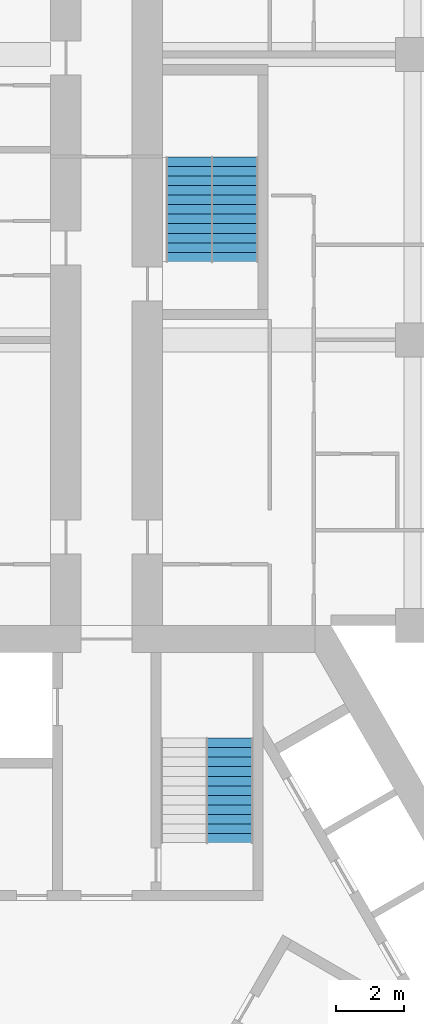
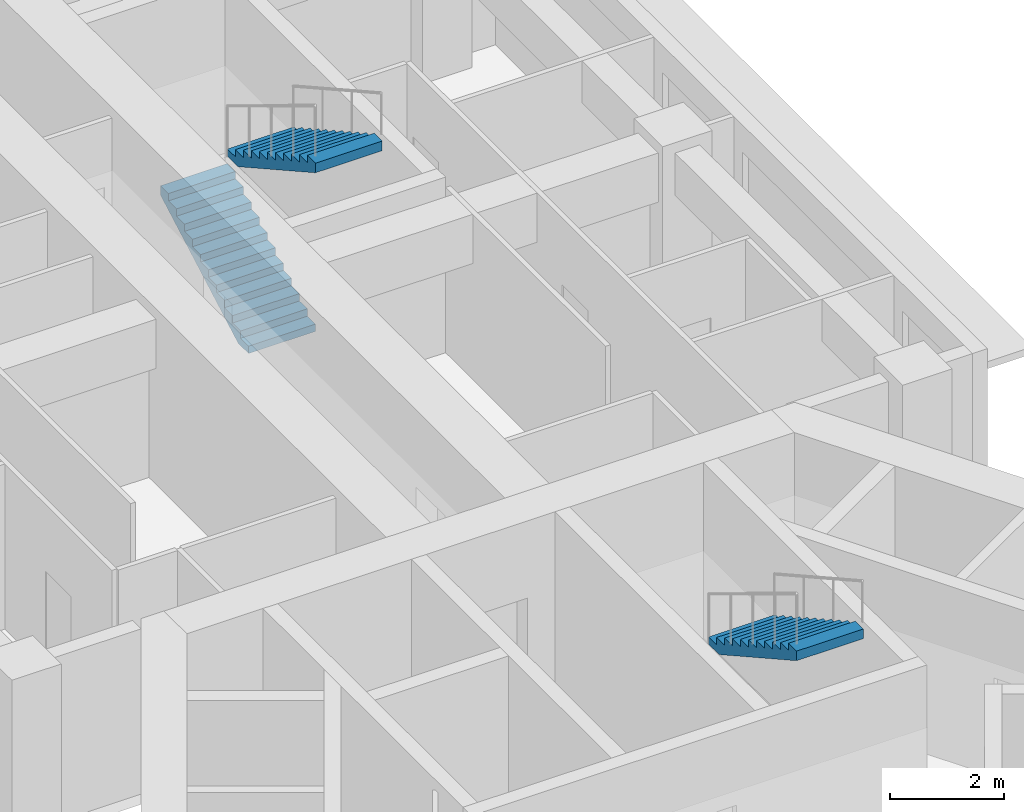
# One storey, part 13 of 14: 3 stair flights, 2 elements without a shape of their own.
"""IFC4 building model written with IfcOpenShell, lengths in metres."""

from ifc_helpers import new_model, si_unit, direction, frame, origin, place, context, subcontext, project, spatial, polyline, outline, extrude, material, type_object, element, aggregate, save


model = new_model("IFC4")

# Units and contexts
model_context = context("Model", 3, precision=1e-05, world=origin(), true_north=direction((0.0, 1.0)))
body_context = subcontext(model_context, "Body", "Model", "MODEL_VIEW")
ifc_project = project(units=[si_unit("LENGTHUNIT", "METRE"), si_unit("AREAUNIT", "SQUARE_METRE"), si_unit("VOLUMEUNIT", "CUBIC_METRE"), si_unit("PLANEANGLEUNIT", "RADIAN"), si_unit("MASSUNIT", "GRAM", prefix="KILO")], contexts=[model_context])

# Site, building, storey
site_placement = place(None, origin())
site = spatial("IfcSite", under=ifc_project, at=site_placement, CompositionType="ELEMENT")
building_placement = place(site_placement, origin())
building = spatial("IfcBuilding", under=site, at=building_placement, Name="Impinga Residences", CompositionType="ELEMENT")
storey_placement = place(building_placement, frame((0.0, 0.0, 147.25)))
storey = spatial("IfcBuildingStorey", under=building, at=storey_placement, Name="L36", CompositionType="ELEMENT", Elevation=147.25)

# Stair, stair flight
ifc_material = material(Name="Concrete C40/50", Category="concrete")
stair_type_1 = type_object("IfcStairType", Name="STR core stair 3750 storey, 24 risers", PredefinedType="HALF_TURN_STAIR", material=ifc_material)
stair_1_placement = place(storey_placement, origin())
stair_1 = element("IfcStair", 1, at=stair_1_placement, inside=storey, type_object=stair_type_1, Name="Stair ST1 L36", PredefinedType="HALF_TURN_STAIR")
stair_flight_type = type_object("IfcStairFlightType", Name="SF 12 risers of 156", PredefinedType="STRAIGHT", material=ifc_material)
stair_flight_1_placement = place(storey_placement, frame((3.625, 8.110107421875, 1.875), z_axis=(0.0, 0.0, 1.0), x_axis=(0.0, -1.0, 0.0)))
stair_flight_1 = element("IfcStairFlight", 2, at=stair_flight_1_placement, type_object=stair_flight_type, Name="ST1 flight 2", NumberOfRisers=12, NumberOfTreads=11, PredefinedType="STRAIGHT", RiserHeight=0.15625, TreadLength=0.28, context=body_context, shape_type="SweptSolid", body=[
    extrude(outline(polyline([(0.0, 0.0), (0.0, 0.15625), (0.280029296875, 0.15625), (0.280029296875, 0.3125), (0.56005859375, 0.3125), (0.56005859375, 0.46875), (0.840087890625, 0.46875), (0.840087890625, 0.625), (1.1201171875, 0.625), (1.1201171875, 0.78125), (1.39990234375, 0.78125), (1.39990234375, 0.9375), (1.679931640625, 0.9375), (1.679931640625, 1.09375), (1.9599609375, 1.09375), (1.9599609375, 1.25), (2.239990234375, 1.25), (2.239990234375, 1.40625), (2.52001953125, 1.40625), (2.52001953125, 1.5625), (2.800048828125, 1.5625), (2.800048828125, 1.71875), (3.080078125, 1.71875), (3.080078125, 1.875), (3.080078125, 1.5126953125), (0.369140625, 0.0), (0.0, 0.0)])), frame((0.0, 0.675048828125, 0.0), z_axis=(0.0, -1.0, 0.0), x_axis=(1.0, 0.0, 0.0)), (0.0, 0.0, 1.0), 1.35009765625),
])
aggregate(stair_1, [stair_flight_1])

# Stair, stair flights
stair_type_2 = type_object("IfcStairType", Name="STR wing stair 3750 storey, 24 risers", PredefinedType="HALF_TURN_STAIR", material=ifc_material)
stair_2_placement = place(storey_placement, origin())
stair_2 = element("IfcStair", 3, at=stair_2_placement, inside=storey, type_object=stair_type_2, Name="Stair WS1 L36", PredefinedType="HALF_TURN_STAIR")
stair_flight_2_placement = place(storey_placement, frame((2.425048828125, 22.131591796875, 0.0), z_axis=(0.0, 0.0, 1.0), x_axis=(0.0, 1.0, 0.0)))
stair_flight_2 = element("IfcStairFlight", 4, at=stair_flight_2_placement, type_object=stair_flight_type, Name="WS1 flight 1", NumberOfRisers=12, NumberOfTreads=11, PredefinedType="STRAIGHT", RiserHeight=0.15625, TreadLength=0.28, context=body_context, shape_type="SweptSolid", body=[
    extrude(outline(polyline([(0.0, 0.0), (0.0, 0.15625), (0.280029296875, 0.15625), (0.280029296875, 0.3125), (0.56005859375, 0.3125), (0.56005859375, 0.46875), (0.840087890625, 0.46875), (0.840087890625, 0.625), (1.1201171875, 0.625), (1.1201171875, 0.78125), (1.39990234375, 0.78125), (1.39990234375, 0.9375), (1.679931640625, 0.9375), (1.679931640625, 1.09375), (1.9599609375, 1.09375), (1.9599609375, 1.25), (2.239990234375, 1.25), (2.239990234375, 1.40625), (2.52001953125, 1.40625), (2.52001953125, 1.5625), (2.800048828125, 1.5625), (2.800048828125, 1.71875), (3.080078125, 1.71875), (3.080078125, 1.875), (3.080078125, 1.5126953125), (0.369140625, 0.0), (0.0, 0.0)])), frame((0.0, 0.675048828125, 0.0), z_axis=(0.0, -1.0, 0.0), x_axis=(1.0, 0.0, 0.0)), (0.0, 0.0, 1.0), 1.35009765625),
])
stair_flight_3_placement = place(storey_placement, frame((3.77490234375, 25.21142578125, 1.875), z_axis=(0.0, 0.0, 1.0), x_axis=(0.0, -1.0, 0.0)))
stair_flight_3 = element("IfcStairFlight", 5, at=stair_flight_3_placement, type_object=stair_flight_type, Name="WS1 flight 2", NumberOfRisers=12, NumberOfTreads=11, PredefinedType="STRAIGHT", RiserHeight=0.15625, TreadLength=0.28, context=body_context, shape_type="SweptSolid", body=[
    extrude(outline(polyline([(0.0, 0.0), (0.0, 0.15625), (0.280029296875, 0.15625), (0.280029296875, 0.3125), (0.56005859375, 0.3125), (0.56005859375, 0.46875), (0.840087890625, 0.46875), (0.840087890625, 0.625), (1.1201171875, 0.625), (1.1201171875, 0.78125), (1.39990234375, 0.78125), (1.39990234375, 0.9375), (1.679931640625, 0.9375), (1.679931640625, 1.09375), (1.9599609375, 1.09375), (1.9599609375, 1.25), (2.239990234375, 1.25), (2.239990234375, 1.40625), (2.52001953125, 1.40625), (2.52001953125, 1.5625), (2.800048828125, 1.5625), (2.800048828125, 1.71875), (3.080078125, 1.71875), (3.080078125, 1.875), (3.080078125, 1.5126953125), (0.369140625, 0.0), (0.0, 0.0)])), frame((0.0, 0.675048828125, 0.0), z_axis=(0.0, -1.0, 0.0), x_axis=(1.0, 0.0, 0.0)), (0.0, 0.0, 1.0), 1.35009765625),
])
aggregate(stair_2, [stair_flight_2, stair_flight_3])

save(model, "model.ifc")
